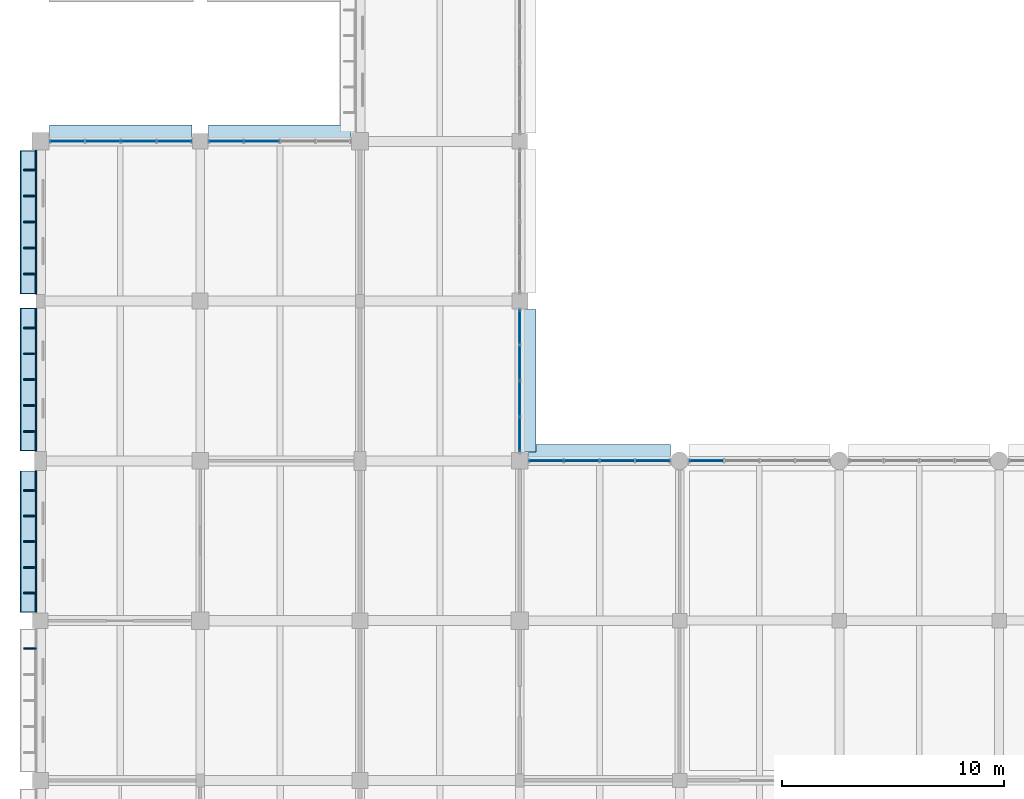
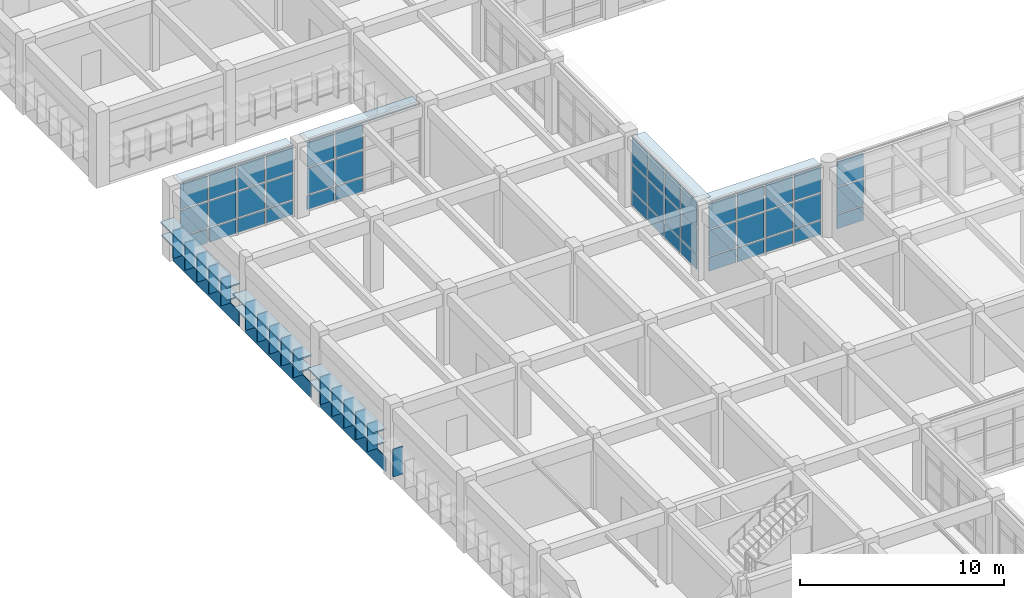
# One storey, part 129 of 171: 74 plates, 5 elements without a shape of their own.
"""IFC4 building model written with IfcOpenShell, lengths in metres."""

from ifc_helpers import new_model, si_unit, direction, frame, origin, origin_2d, place, context, subcontext, project, spatial, rectangle, extrude, material, layer, layer_set, type_object, element, aggregate, save


model = new_model("IFC4")

# Units and contexts
model_context = context("Model", 3, precision=1e-05, world=origin(), true_north=direction((0.0, 1.0)))
body_context = subcontext(model_context, "Body", "Model", "MODEL_VIEW")
ifc_project = project(units=[si_unit("LENGTHUNIT", "METRE"), si_unit("AREAUNIT", "SQUARE_METRE"), si_unit("VOLUMEUNIT", "CUBIC_METRE"), si_unit("PLANEANGLEUNIT", "RADIAN"), si_unit("MASSUNIT", "GRAM", prefix="KILO")], contexts=[model_context])

# Site, building, storey
site_placement = place(None, origin())
site = spatial("IfcSite", under=ifc_project, at=site_placement, CompositionType="ELEMENT")
building_placement = place(site_placement, origin())
building = spatial("IfcBuilding", under=site, at=building_placement, Name="Thalmaran Polytechnic", CompositionType="ELEMENT")
storey_placement = place(building_placement, frame((0.0, 0.0, 5.39990234375)))
storey = spatial("IfcBuildingStorey", under=building, at=storey_placement, Name="L01", CompositionType="ELEMENT", Elevation=5.39990234375)

# Plates
ifc_material_1 = material(Name="Anodised aluminium spandrel band", Category="aluminium")
ifc_layer_1 = layer(ifc_material_1, 0.054931640625, Name="Anodised aluminium spandrel band")
ifc_layer_set_1 = layer_set([ifc_layer_1], Name="Anodised aluminium spandrel band")
plate_type_1 = type_object("IfcPlateType", Name="PT-BD01", PredefinedType="SHEET", material=ifc_layer_set_1)
plate_1_placement = place(storey_placement, frame((-0.195068359375, 68.362548828125, 0.020263671875), z_axis=(0.0, 0.0, 1.0), x_axis=(0.0, 1.0, 0.0)))
element("IfcPlate", 1, at=plate_1_placement, inside=storey, type_object=plate_type_1, Name="Streamline Horizontal Spandrel Band L01-010", PredefinedType="SHEET", context=body_context, shape_type="SweptSolid", body=[
    extrude(rectangle(XDim=6.385009765625, YDim=0.054931640625, at=origin_2d()), origin(), (0.0, 0.0, 1.0), 0.8798828125),
])
plate_2_placement = place(storey_placement, frame((-0.195068359375, 75.66259765625, 0.020263671875), z_axis=(0.0, 0.0, 1.0), x_axis=(0.0, 1.0, 0.0)))
element("IfcPlate", 2, at=plate_2_placement, inside=storey, type_object=plate_type_1, Name="Streamline Horizontal Spandrel Band L01-011", PredefinedType="SHEET", context=body_context, shape_type="SweptSolid", body=[
    extrude(rectangle(XDim=6.43505859375, YDim=0.054931640625, at=origin_2d()), origin(), (0.0, 0.0, 1.0), 0.8798828125),
])
plate_3_placement = place(storey_placement, frame((-0.195068359375, 82.7548828125, 0.020263671875), z_axis=(0.0, 0.0, 1.0), x_axis=(0.0, 1.0, 0.0)))
element("IfcPlate", 3, at=plate_3_placement, inside=storey, type_object=plate_type_1, Name="Streamline Horizontal Spandrel Band L01-012", PredefinedType="SHEET", context=body_context, shape_type="SweptSolid", body=[
    extrude(rectangle(XDim=6.469970703125, YDim=0.054931640625, at=origin_2d()), origin(), (0.0, 0.0, 1.0), 0.8798828125),
])
ifc_material_2 = material(Name="Anodised aluminium sun-hood eyebrow", Category="aluminium")
ifc_layer_2 = layer(ifc_material_2, 0.0849609375, Name="Anodised aluminium sun-hood eyebrow")
ifc_layer_set_2 = layer_set([ifc_layer_2], Name="Anodised aluminium sun-hood eyebrow")
plate_type_2 = type_object("IfcPlateType", Name="PT-EB01", PredefinedType="SHEET", material=ifc_layer_set_2)
plate_4_placement = place(storey_placement, frame((-0.5400390625, 68.362548828125, 2.517578125), z_axis=(0.0, 0.0, 1.0), x_axis=(0.0, 1.0, 0.0)))
element("IfcPlate", 4, at=plate_4_placement, inside=storey, type_object=plate_type_2, Name="Streamline Sun-Hood Eyebrow L01-010", PredefinedType="SHEET", context=body_context, shape_type="SweptSolid", body=[
    extrude(rectangle(XDim=6.385009765625, YDim=0.760009765625, at=origin_2d()), origin(), (0.0, 0.0, 1.0), 0.0849609375),
])
plate_5_placement = place(storey_placement, frame((-0.52001953125, 68.362548828125, 1.74267578125), z_axis=(0.0, 0.0, 1.0), x_axis=(0.0, 1.0, 0.0)))
element("IfcPlate", 5, at=plate_5_placement, inside=storey, type_object=plate_type_2, Name="Abu Dhabi Horizontal Solar Louvre L01-010", PredefinedType="SHEET", context=body_context, shape_type="SweptSolid", body=[
    extrude(rectangle(XDim=6.344970703125, YDim=0.719970703125, at=origin_2d()), origin(), (0.0, 0.0, 1.0), 0.074951171875),
])
plate_6_placement = place(storey_placement, frame((-0.5400390625, 75.66259765625, 2.517578125), z_axis=(0.0, 0.0, 1.0), x_axis=(0.0, 1.0, 0.0)))
element("IfcPlate", 6, at=plate_6_placement, inside=storey, type_object=plate_type_2, Name="Streamline Sun-Hood Eyebrow L01-011", PredefinedType="SHEET", context=body_context, shape_type="SweptSolid", body=[
    extrude(rectangle(XDim=6.43505859375, YDim=0.760009765625, at=origin_2d()), origin(), (0.0, 0.0, 1.0), 0.0849609375),
])
plate_7_placement = place(storey_placement, frame((-0.52001953125, 75.66259765625, 1.74267578125), z_axis=(0.0, 0.0, 1.0), x_axis=(0.0, 1.0, 0.0)))
element("IfcPlate", 7, at=plate_7_placement, inside=storey, type_object=plate_type_2, Name="Abu Dhabi Horizontal Solar Louvre L01-011", PredefinedType="SHEET", context=body_context, shape_type="SweptSolid", body=[
    extrude(rectangle(XDim=6.39501953125, YDim=0.719970703125, at=origin_2d()), origin(), (0.0, 0.0, 1.0), 0.074951171875),
])
plate_8_placement = place(storey_placement, frame((-0.5400390625, 82.7548828125, 2.517578125), z_axis=(0.0, 0.0, 1.0), x_axis=(0.0, 1.0, 0.0)))
element("IfcPlate", 8, at=plate_8_placement, inside=storey, type_object=plate_type_2, Name="Streamline Sun-Hood Eyebrow L01-012", PredefinedType="SHEET", context=body_context, shape_type="SweptSolid", body=[
    extrude(rectangle(XDim=6.469970703125, YDim=0.760009765625, at=origin_2d()), origin(), (0.0, 0.0, 1.0), 0.0849609375),
])
plate_9_placement = place(storey_placement, frame((-0.52001953125, 82.7548828125, 1.74267578125), z_axis=(0.0, 0.0, 1.0), x_axis=(0.0, 1.0, 0.0)))
element("IfcPlate", 9, at=plate_9_placement, inside=storey, type_object=plate_type_2, Name="Abu Dhabi Horizontal Solar Louvre L01-012", PredefinedType="SHEET", context=body_context, shape_type="SweptSolid", body=[
    extrude(rectangle(XDim=6.429931640625, YDim=0.719970703125, at=origin_2d()), origin(), (0.0, 0.0, 1.0), 0.074951171875),
])
for number, where, z_axis, x_axis, name in (
    (10, (3.6201171875, 86.760009765625, 4.107666015625), (0.0, 0.0, 1.0), (1.0, 0.0, 0.0), "Streamline Sun-Hood Eyebrow L01-CW078"),
    (11, (10.780029296875, 86.760009765625, 4.107666015625), (0.0, 0.0, 1.0), (1.0, 0.0, 0.0), "Streamline Sun-Hood Eyebrow L01-CW079"),
):
    element("IfcPlate", number, at=place(storey_placement, frame(where, z_axis=z_axis, x_axis=x_axis)), inside=storey, type_object=plate_type_2, Name=name, PredefinedType="SHEET", context=body_context, shape_type="SweptSolid", body=[
        extrude(rectangle(XDim=6.419921875, YDim=0.760009765625, at=origin_2d()), origin(), (0.0, 0.0, 1.0), 0.0849609375),
    ])
plate_10_placement = place(storey_placement, frame((21.9599609375, 75.607421875, 4.107666015625), z_axis=(0.0, 0.0, 1.0), x_axis=(0.0, -1.0, 0.0)))
element("IfcPlate", 12, at=plate_10_placement, inside=storey, type_object=plate_type_2, Name="Streamline Sun-Hood Eyebrow L01-CW138", PredefinedType="SHEET", context=body_context, shape_type="SweptSolid", body=[
    extrude(rectangle(XDim=6.425048828125, YDim=0.760009765625, at=origin_2d()), origin(), (0.0, 0.0, 1.0), 0.0849609375),
])
plate_11_placement = place(storey_placement, frame((25.1875, 72.360107421875, 4.107666015625), z_axis=(0.0, 0.0, 1.0), x_axis=(1.0, 0.0, 0.0)))
element("IfcPlate", 13, at=plate_11_placement, inside=storey, type_object=plate_type_2, Name="Streamline Sun-Hood Eyebrow L01-CW139", PredefinedType="SHEET", context=body_context, shape_type="SweptSolid", body=[
    extrude(rectangle(XDim=6.385009765625, YDim=0.760009765625, at=origin_2d()), origin(), (0.0, 0.0, 1.0), 0.0849609375),
])
ifc_material_3 = material(Name="Anodised bronze brise-soleil fin")
ifc_layer_3 = layer(ifc_material_3, 0.06494140625, Name="Anodised bronze brise-soleil fin")
ifc_layer_set_3 = layer_set([ifc_layer_3], Name="Anodised bronze brise-soleil fin")
plate_type_3 = type_object("IfcPlateType", Name="PT-FN01", PredefinedType="SHEET", material=ifc_layer_set_3)
for number, where, z_axis, x_axis, name in (
    (14, (-0.4599609375, 63.54150390625, 0.895263671875), (0.0, 0.0, 1.0), (0.0, 1.0, 0.0), "Abu Dhabi Solar Brise-Soleil Fin L01-009-5"),
    (15, (-0.4599609375, 66.049560546875, 0.895263671875), (0.0, 0.0, 1.0), (0.0, 1.0, 0.0), "Abu Dhabi Solar Brise-Soleil Fin L01-010-1"),
    (16, (-0.4599609375, 67.2060546875, 0.895263671875), (0.0, 0.0, 1.0), (0.0, 1.0, 0.0), "Abu Dhabi Solar Brise-Soleil Fin L01-010-2"),
    (17, (-0.4599609375, 68.362548828125, 0.895263671875), (0.0, 0.0, 1.0), (0.0, 1.0, 0.0), "Abu Dhabi Solar Brise-Soleil Fin L01-010-3"),
    (18, (-0.4599609375, 69.51904296875, 0.895263671875), (0.0, 0.0, 1.0), (0.0, 1.0, 0.0), "Abu Dhabi Solar Brise-Soleil Fin L01-010-4"),
    (19, (-0.4599609375, 70.675537109375, 0.895263671875), (0.0, 0.0, 1.0), (0.0, 1.0, 0.0), "Abu Dhabi Solar Brise-Soleil Fin L01-010-5"),
    (20, (-0.4599609375, 73.33154296875, 0.895263671875), (0.0, 0.0, 1.0), (0.0, 1.0, 0.0), "Abu Dhabi Solar Brise-Soleil Fin L01-011-1"),
    (21, (-0.4599609375, 74.4970703125, 0.895263671875), (0.0, 0.0, 1.0), (0.0, 1.0, 0.0), "Abu Dhabi Solar Brise-Soleil Fin L01-011-2"),
    (22, (-0.4599609375, 75.66259765625, 0.895263671875), (0.0, 0.0, 1.0), (0.0, 1.0, 0.0), "Abu Dhabi Solar Brise-Soleil Fin L01-011-3"),
    (23, (-0.4599609375, 76.827880859375, 0.895263671875), (0.0, 0.0, 1.0), (0.0, 1.0, 0.0), "Abu Dhabi Solar Brise-Soleil Fin L01-011-4"),
    (24, (-0.4599609375, 77.993408203125, 0.895263671875), (0.0, 0.0, 1.0), (0.0, 1.0, 0.0), "Abu Dhabi Solar Brise-Soleil Fin L01-011-5"),
    (25, (-0.4599609375, 80.411376953125, 0.895263671875), (0.0, 0.0, 1.0), (0.0, 1.0, 0.0), "Abu Dhabi Solar Brise-Soleil Fin L01-012-1"),
    (26, (-0.4599609375, 81.583251953125, 0.895263671875), (0.0, 0.0, 1.0), (0.0, 1.0, 0.0), "Abu Dhabi Solar Brise-Soleil Fin L01-012-2"),
    (27, (-0.4599609375, 82.7548828125, 0.895263671875), (0.0, 0.0, 1.0), (0.0, 1.0, 0.0), "Abu Dhabi Solar Brise-Soleil Fin L01-012-3"),
    (28, (-0.4599609375, 83.9267578125, 0.895263671875), (0.0, 0.0, 1.0), (0.0, 1.0, 0.0), "Abu Dhabi Solar Brise-Soleil Fin L01-012-4"),
    (29, (-0.4599609375, 85.0986328125, 0.895263671875), (0.0, 0.0, 1.0), (0.0, 1.0, 0.0), "Abu Dhabi Solar Brise-Soleil Fin L01-012-5"),
):
    element("IfcPlate", number, at=place(storey_placement, frame(where, z_axis=z_axis, x_axis=x_axis)), inside=storey, type_object=plate_type_3, Name=name, PredefinedType="SHEET", context=body_context, shape_type="SweptSolid", body=[
        extrude(rectangle(XDim=0.06494140625, YDim=0.56005859375, at=origin_2d()), origin(), (0.0, 0.0, 1.0), 1.64990234375),
    ])

# Curtain wall, plates
ifc_material_4 = material(Name="Aluminium 6063-T6", Category="aluminium")
curtain_wall_type_1 = type_object("IfcCurtainWallType", Name="CW-SC01", PredefinedType="USERDEFINED", material=ifc_material_4)
curtain_wall_1_placement = place(storey_placement, origin())
curtain_wall_1 = element("IfcCurtainWall", 30, at=curtain_wall_1_placement, inside=storey, type_object=curtain_wall_type_1, Name="Curtain Wall CW-L01-140", ObjectType="STICK CURTAIN WALL", PredefinedType="USERDEFINED")
ifc_material_5 = material(Name="Solar-control double low-E glass", Category="glass")
ifc_layer_4 = layer(ifc_material_5, 0.035888671875, Name="Solar-control double low-E glass")
ifc_layer_set_4 = layer_set([ifc_layer_4], Name="Solar-control double low-E glass")
plate_type_4 = type_object("IfcPlateType", Name="PT-GL01", PredefinedType="CURTAIN_PANEL", material=ifc_layer_set_4)
plate_12_placement = place(storey_placement, frame((30.0, 72.0, 1.000244140625), z_axis=(0.0, 0.0, 1.0), x_axis=(1.0, 0.0, 0.0)))
plate_12 = element("IfcPlate", 31, at=plate_12_placement, type_object=plate_type_4, Name="CW-L01-140 Vision Panel 1-2", PredefinedType="CURTAIN_PANEL", context=body_context, shape_type="SweptSolid", body=[
    extrude(rectangle(XDim=1.5, YDim=0.035888671875, at=origin_2d()), origin(), (0.0, 0.0, 1.0), 1.544921875),
])
plate_13_placement = place(storey_placement, frame((30.0, 72.0, 2.625), z_axis=(0.0, 0.0, 1.0), x_axis=(1.0, 0.0, 0.0)))
plate_13 = element("IfcPlate", 32, at=plate_13_placement, type_object=plate_type_4, Name="CW-L01-140 Vision Panel 1-3", PredefinedType="CURTAIN_PANEL", context=body_context, shape_type="SweptSolid", body=[
    extrude(rectangle(XDim=1.5, YDim=0.035888671875, at=origin_2d()), origin(), (0.0, 0.0, 1.0), 1.485107421875),
])

curtain_wall_type_2 = type_object("IfcCurtainWallType", Name="CW-UC02", PredefinedType="USERDEFINED", material=ifc_material_4)
curtain_wall_2_placement = place(storey_placement, origin())
curtain_wall_2 = element("IfcCurtainWall", 33, at=curtain_wall_2_placement, inside=storey, type_object=curtain_wall_type_2, Name="Curtain Wall CW-L01-078", ObjectType="UNITISED CURTAIN WALL", PredefinedType="USERDEFINED")
ifc_layer_5 = layer(ifc_material_5, 0.035888671875, Name="Solar-control double low-E glass")
ifc_layer_set_5 = layer_set([ifc_layer_5], Name="Solar-control double low-E glass")
plate_type_5 = type_object("IfcPlateType", Name="PT-GL04", PredefinedType="CURTAIN_PANEL", material=ifc_layer_set_5)
plate_14_placement = place(storey_placement, frame((1.197509765625, 86.39990234375, 1.000244140625), z_axis=(0.0, 0.0, 1.0), x_axis=(1.0, 0.0, 0.0)))
plate_14 = element("IfcPlate", 34, at=plate_14_placement, type_object=plate_type_5, Name="CW-L01-078 Vision Panel 1-2", PredefinedType="CURTAIN_PANEL", context=body_context, shape_type="SweptSolid", body=[
    extrude(rectangle(XDim=1.514892578125, YDim=0.035888671875, at=origin_2d()), origin(), (0.0, 0.0, 1.0), 1.544921875),
])
plate_15_placement = place(storey_placement, frame((1.197509765625, 86.39990234375, 2.625), z_axis=(0.0, 0.0, 1.0), x_axis=(1.0, 0.0, 0.0)))
plate_15 = element("IfcPlate", 35, at=plate_15_placement, type_object=plate_type_5, Name="CW-L01-078 Vision Panel 1-3", PredefinedType="CURTAIN_PANEL", context=body_context, shape_type="SweptSolid", body=[
    extrude(rectangle(XDim=1.514892578125, YDim=0.035888671875, at=origin_2d()), origin(), (0.0, 0.0, 1.0), 1.485107421875),
])
plate_16_placement = place(storey_placement, frame((2.8125, 86.39990234375, 1.000244140625), z_axis=(0.0, 0.0, 1.0), x_axis=(1.0, 0.0, 0.0)))
plate_16 = element("IfcPlate", 36, at=plate_16_placement, type_object=plate_type_5, Name="CW-L01-078 Vision Panel 2-2", PredefinedType="CURTAIN_PANEL", context=body_context, shape_type="SweptSolid", body=[
    extrude(rectangle(XDim=1.514892578125, YDim=0.035888671875, at=origin_2d()), origin(), (0.0, 0.0, 1.0), 1.544921875),
])
plate_17_placement = place(storey_placement, frame((2.8125, 86.39990234375, 2.625), z_axis=(0.0, 0.0, 1.0), x_axis=(1.0, 0.0, 0.0)))
plate_17 = element("IfcPlate", 37, at=plate_17_placement, type_object=plate_type_5, Name="CW-L01-078 Vision Panel 2-3", PredefinedType="CURTAIN_PANEL", context=body_context, shape_type="SweptSolid", body=[
    extrude(rectangle(XDim=1.514892578125, YDim=0.035888671875, at=origin_2d()), origin(), (0.0, 0.0, 1.0), 1.485107421875),
])
plate_18_placement = place(storey_placement, frame((4.427490234375, 86.39990234375, 1.000244140625), z_axis=(0.0, 0.0, 1.0), x_axis=(1.0, 0.0, 0.0)))
plate_18 = element("IfcPlate", 38, at=plate_18_placement, type_object=plate_type_5, Name="CW-L01-078 Vision Panel 3-2", PredefinedType="CURTAIN_PANEL", context=body_context, shape_type="SweptSolid", body=[
    extrude(rectangle(XDim=1.514892578125, YDim=0.035888671875, at=origin_2d()), origin(), (0.0, 0.0, 1.0), 1.544921875),
])
plate_19_placement = place(storey_placement, frame((4.427490234375, 86.39990234375, 2.625), z_axis=(0.0, 0.0, 1.0), x_axis=(1.0, 0.0, 0.0)))
plate_19 = element("IfcPlate", 39, at=plate_19_placement, type_object=plate_type_5, Name="CW-L01-078 Vision Panel 3-3", PredefinedType="CURTAIN_PANEL", context=body_context, shape_type="SweptSolid", body=[
    extrude(rectangle(XDim=1.514892578125, YDim=0.035888671875, at=origin_2d()), origin(), (0.0, 0.0, 1.0), 1.485107421875),
])
plate_20_placement = place(storey_placement, frame((6.04248046875, 86.39990234375, 1.000244140625), z_axis=(0.0, 0.0, 1.0), x_axis=(1.0, 0.0, 0.0)))
plate_20 = element("IfcPlate", 40, at=plate_20_placement, type_object=plate_type_5, Name="CW-L01-078 Vision Panel 4-2", PredefinedType="CURTAIN_PANEL", context=body_context, shape_type="SweptSolid", body=[
    extrude(rectangle(XDim=1.514892578125, YDim=0.035888671875, at=origin_2d()), origin(), (0.0, 0.0, 1.0), 1.544921875),
])
plate_21_placement = place(storey_placement, frame((6.04248046875, 86.39990234375, 2.625), z_axis=(0.0, 0.0, 1.0), x_axis=(1.0, 0.0, 0.0)))
plate_21 = element("IfcPlate", 41, at=plate_21_placement, type_object=plate_type_5, Name="CW-L01-078 Vision Panel 4-3", PredefinedType="CURTAIN_PANEL", context=body_context, shape_type="SweptSolid", body=[
    extrude(rectangle(XDim=1.514892578125, YDim=0.035888671875, at=origin_2d()), origin(), (0.0, 0.0, 1.0), 1.485107421875),
])

curtain_wall_3_placement = place(storey_placement, origin())
curtain_wall_3 = element("IfcCurtainWall", 42, at=curtain_wall_3_placement, inside=storey, type_object=curtain_wall_type_2, Name="Curtain Wall CW-L01-138", ObjectType="UNITISED CURTAIN WALL", PredefinedType="USERDEFINED")
plate_22_placement = place(storey_placement, frame((21.60009765625, 78.031982421875, 1.000244140625), z_axis=(0.0, 0.0, 1.0), x_axis=(0.0, -1.0, 0.0)))
plate_22 = element("IfcPlate", 43, at=plate_22_placement, type_object=plate_type_5, Name="CW-L01-138 Vision Panel 1-2", PredefinedType="CURTAIN_PANEL", context=body_context, shape_type="SweptSolid", body=[
    extrude(rectangle(XDim=1.516357421875, YDim=0.035888671875, at=origin_2d()), origin(), (0.0, 0.0, 1.0), 1.544921875),
])
plate_23_placement = place(storey_placement, frame((21.60009765625, 78.031982421875, 2.625), z_axis=(0.0, 0.0, 1.0), x_axis=(0.0, -1.0, 0.0)))
plate_23 = element("IfcPlate", 44, at=plate_23_placement, type_object=plate_type_5, Name="CW-L01-138 Vision Panel 1-3", PredefinedType="CURTAIN_PANEL", context=body_context, shape_type="SweptSolid", body=[
    extrude(rectangle(XDim=1.516357421875, YDim=0.035888671875, at=origin_2d()), origin(), (0.0, 0.0, 1.0), 1.485107421875),
])
plate_24_placement = place(storey_placement, frame((21.60009765625, 76.41552734375, 1.000244140625), z_axis=(0.0, 0.0, 1.0), x_axis=(0.0, -1.0, 0.0)))
plate_24 = element("IfcPlate", 45, at=plate_24_placement, type_object=plate_type_5, Name="CW-L01-138 Vision Panel 2-2", PredefinedType="CURTAIN_PANEL", context=body_context, shape_type="SweptSolid", body=[
    extrude(rectangle(XDim=1.516357421875, YDim=0.035888671875, at=origin_2d()), origin(), (0.0, 0.0, 1.0), 1.544921875),
])
plate_25_placement = place(storey_placement, frame((21.60009765625, 76.41552734375, 2.625), z_axis=(0.0, 0.0, 1.0), x_axis=(0.0, -1.0, 0.0)))
plate_25 = element("IfcPlate", 46, at=plate_25_placement, type_object=plate_type_5, Name="CW-L01-138 Vision Panel 2-3", PredefinedType="CURTAIN_PANEL", context=body_context, shape_type="SweptSolid", body=[
    extrude(rectangle(XDim=1.516357421875, YDim=0.035888671875, at=origin_2d()), origin(), (0.0, 0.0, 1.0), 1.485107421875),
])
plate_26_placement = place(storey_placement, frame((21.60009765625, 74.79931640625, 1.000244140625), z_axis=(0.0, 0.0, 1.0), x_axis=(0.0, -1.0, 0.0)))
plate_26 = element("IfcPlate", 47, at=plate_26_placement, type_object=plate_type_5, Name="CW-L01-138 Vision Panel 3-2", PredefinedType="CURTAIN_PANEL", context=body_context, shape_type="SweptSolid", body=[
    extrude(rectangle(XDim=1.516357421875, YDim=0.035888671875, at=origin_2d()), origin(), (0.0, 0.0, 1.0), 1.544921875),
])
plate_27_placement = place(storey_placement, frame((21.60009765625, 74.79931640625, 2.625), z_axis=(0.0, 0.0, 1.0), x_axis=(0.0, -1.0, 0.0)))
plate_27 = element("IfcPlate", 48, at=plate_27_placement, type_object=plate_type_5, Name="CW-L01-138 Vision Panel 3-3", PredefinedType="CURTAIN_PANEL", context=body_context, shape_type="SweptSolid", body=[
    extrude(rectangle(XDim=1.516357421875, YDim=0.035888671875, at=origin_2d()), origin(), (0.0, 0.0, 1.0), 1.485107421875),
])
plate_28_placement = place(storey_placement, frame((21.60009765625, 73.18310546875, 1.000244140625), z_axis=(0.0, 0.0, 1.0), x_axis=(0.0, -1.0, 0.0)))
plate_28 = element("IfcPlate", 49, at=plate_28_placement, type_object=plate_type_5, Name="CW-L01-138 Vision Panel 4-2", PredefinedType="CURTAIN_PANEL", context=body_context, shape_type="SweptSolid", body=[
    extrude(rectangle(XDim=1.516357421875, YDim=0.035888671875, at=origin_2d()), origin(), (0.0, 0.0, 1.0), 1.544921875),
])
plate_29_placement = place(storey_placement, frame((21.60009765625, 73.18310546875, 2.625), z_axis=(0.0, 0.0, 1.0), x_axis=(0.0, -1.0, 0.0)))
plate_29 = element("IfcPlate", 50, at=plate_29_placement, type_object=plate_type_5, Name="CW-L01-138 Vision Panel 4-3", PredefinedType="CURTAIN_PANEL", context=body_context, shape_type="SweptSolid", body=[
    extrude(rectangle(XDim=1.516357421875, YDim=0.035888671875, at=origin_2d()), origin(), (0.0, 0.0, 1.0), 1.485107421875),
])

curtain_wall_4_placement = place(storey_placement, origin())
curtain_wall_4 = element("IfcCurtainWall", 51, at=curtain_wall_4_placement, inside=storey, type_object=curtain_wall_type_2, Name="Curtain Wall CW-L01-079", ObjectType="UNITISED CURTAIN WALL", PredefinedType="USERDEFINED")
ifc_layer_6 = layer(ifc_material_5, 0.035888671875, Name="Solar-control double low-E glass")
ifc_layer_set_6 = layer_set([ifc_layer_6], Name="Solar-control double low-E glass")
plate_type_6 = type_object("IfcPlateType", Name="PT-GL05", PredefinedType="CURTAIN_PANEL", material=ifc_layer_set_6)
plate_30_placement = place(storey_placement, frame((8.357421875, 86.39990234375, 1.000244140625), z_axis=(0.0, 0.0, 1.0), x_axis=(1.0, 0.0, 0.0)))
plate_30 = element("IfcPlate", 52, at=plate_30_placement, type_object=plate_type_6, Name="CW-L01-079 Vision Panel 1-2", PredefinedType="CURTAIN_PANEL", context=body_context, shape_type="SweptSolid", body=[
    extrude(rectangle(XDim=1.514892578125, YDim=0.035888671875, at=origin_2d()), origin(), (0.0, 0.0, 1.0), 1.544921875),
])
plate_31_placement = place(storey_placement, frame((8.357421875, 86.39990234375, 2.625), z_axis=(0.0, 0.0, 1.0), x_axis=(1.0, 0.0, 0.0)))
plate_31 = element("IfcPlate", 53, at=plate_31_placement, type_object=plate_type_6, Name="CW-L01-079 Vision Panel 1-3", PredefinedType="CURTAIN_PANEL", context=body_context, shape_type="SweptSolid", body=[
    extrude(rectangle(XDim=1.514892578125, YDim=0.035888671875, at=origin_2d()), origin(), (0.0, 0.0, 1.0), 1.485107421875),
])
plate_32_placement = place(storey_placement, frame((9.972412109375, 86.39990234375, 1.000244140625), z_axis=(0.0, 0.0, 1.0), x_axis=(1.0, 0.0, 0.0)))
plate_32 = element("IfcPlate", 54, at=plate_32_placement, type_object=plate_type_6, Name="CW-L01-079 Vision Panel 2-2", PredefinedType="CURTAIN_PANEL", context=body_context, shape_type="SweptSolid", body=[
    extrude(rectangle(XDim=1.514892578125, YDim=0.035888671875, at=origin_2d()), origin(), (0.0, 0.0, 1.0), 1.544921875),
])
plate_33_placement = place(storey_placement, frame((9.972412109375, 86.39990234375, 2.625), z_axis=(0.0, 0.0, 1.0), x_axis=(1.0, 0.0, 0.0)))
plate_33 = element("IfcPlate", 55, at=plate_33_placement, type_object=plate_type_6, Name="CW-L01-079 Vision Panel 2-3", PredefinedType="CURTAIN_PANEL", context=body_context, shape_type="SweptSolid", body=[
    extrude(rectangle(XDim=1.514892578125, YDim=0.035888671875, at=origin_2d()), origin(), (0.0, 0.0, 1.0), 1.485107421875),
])

curtain_wall_5_placement = place(storey_placement, origin())
curtain_wall_5 = element("IfcCurtainWall", 56, at=curtain_wall_5_placement, inside=storey, type_object=curtain_wall_type_2, Name="Curtain Wall CW-L01-139", ObjectType="UNITISED CURTAIN WALL", PredefinedType="USERDEFINED")
plate_34_placement = place(storey_placement, frame((22.778076171875, 72.0, 1.000244140625), z_axis=(0.0, 0.0, 1.0), x_axis=(1.0, 0.0, 0.0)))
plate_34 = element("IfcPlate", 57, at=plate_34_placement, type_object=plate_type_6, Name="CW-L01-139 Vision Panel 1-2", PredefinedType="CURTAIN_PANEL", context=body_context, shape_type="SweptSolid", body=[
    extrude(rectangle(XDim=1.506103515625, YDim=0.035888671875, at=origin_2d()), origin(), (0.0, 0.0, 1.0), 1.544921875),
])
plate_35_placement = place(storey_placement, frame((22.778076171875, 72.0, 2.625), z_axis=(0.0, 0.0, 1.0), x_axis=(1.0, 0.0, 0.0)))
plate_35 = element("IfcPlate", 58, at=plate_35_placement, type_object=plate_type_6, Name="CW-L01-139 Vision Panel 1-3", PredefinedType="CURTAIN_PANEL", context=body_context, shape_type="SweptSolid", body=[
    extrude(rectangle(XDim=1.506103515625, YDim=0.035888671875, at=origin_2d()), origin(), (0.0, 0.0, 1.0), 1.485107421875),
])
plate_36_placement = place(storey_placement, frame((24.38427734375, 72.0, 1.000244140625), z_axis=(0.0, 0.0, 1.0), x_axis=(1.0, 0.0, 0.0)))
plate_36 = element("IfcPlate", 59, at=plate_36_placement, type_object=plate_type_6, Name="CW-L01-139 Vision Panel 2-2", PredefinedType="CURTAIN_PANEL", context=body_context, shape_type="SweptSolid", body=[
    extrude(rectangle(XDim=1.506103515625, YDim=0.035888671875, at=origin_2d()), origin(), (0.0, 0.0, 1.0), 1.544921875),
])
plate_37_placement = place(storey_placement, frame((24.38427734375, 72.0, 2.625), z_axis=(0.0, 0.0, 1.0), x_axis=(1.0, 0.0, 0.0)))
plate_37 = element("IfcPlate", 60, at=plate_37_placement, type_object=plate_type_6, Name="CW-L01-139 Vision Panel 2-3", PredefinedType="CURTAIN_PANEL", context=body_context, shape_type="SweptSolid", body=[
    extrude(rectangle(XDim=1.506103515625, YDim=0.035888671875, at=origin_2d()), origin(), (0.0, 0.0, 1.0), 1.485107421875),
])
plate_38_placement = place(storey_placement, frame((25.99072265625, 72.0, 1.000244140625), z_axis=(0.0, 0.0, 1.0), x_axis=(1.0, 0.0, 0.0)))
plate_38 = element("IfcPlate", 61, at=plate_38_placement, type_object=plate_type_6, Name="CW-L01-139 Vision Panel 3-2", PredefinedType="CURTAIN_PANEL", context=body_context, shape_type="SweptSolid", body=[
    extrude(rectangle(XDim=1.506103515625, YDim=0.035888671875, at=origin_2d()), origin(), (0.0, 0.0, 1.0), 1.544921875),
])
plate_39_placement = place(storey_placement, frame((25.99072265625, 72.0, 2.625), z_axis=(0.0, 0.0, 1.0), x_axis=(1.0, 0.0, 0.0)))
plate_39 = element("IfcPlate", 62, at=plate_39_placement, type_object=plate_type_6, Name="CW-L01-139 Vision Panel 3-3", PredefinedType="CURTAIN_PANEL", context=body_context, shape_type="SweptSolid", body=[
    extrude(rectangle(XDim=1.506103515625, YDim=0.035888671875, at=origin_2d()), origin(), (0.0, 0.0, 1.0), 1.485107421875),
])
plate_40_placement = place(storey_placement, frame((27.596923828125, 72.0, 1.000244140625), z_axis=(0.0, 0.0, 1.0), x_axis=(1.0, 0.0, 0.0)))
plate_40 = element("IfcPlate", 63, at=plate_40_placement, type_object=plate_type_6, Name="CW-L01-139 Vision Panel 4-2", PredefinedType="CURTAIN_PANEL", context=body_context, shape_type="SweptSolid", body=[
    extrude(rectangle(XDim=1.506103515625, YDim=0.035888671875, at=origin_2d()), origin(), (0.0, 0.0, 1.0), 1.544921875),
])
plate_41_placement = place(storey_placement, frame((27.596923828125, 72.0, 2.625), z_axis=(0.0, 0.0, 1.0), x_axis=(1.0, 0.0, 0.0)))
plate_41 = element("IfcPlate", 64, at=plate_41_placement, type_object=plate_type_6, Name="CW-L01-139 Vision Panel 4-3", PredefinedType="CURTAIN_PANEL", context=body_context, shape_type="SweptSolid", body=[
    extrude(rectangle(XDim=1.506103515625, YDim=0.035888671875, at=origin_2d()), origin(), (0.0, 0.0, 1.0), 1.485107421875),
])

# Plate
ifc_material_6 = material(Name="Insulated anodised aluminium spandrel", Category="aluminium")
ifc_layer_7 = layer(ifc_material_6, 0.06005859375, Name="Insulated anodised aluminium spandrel")
ifc_layer_set_7 = layer_set([ifc_layer_7], Name="Insulated anodised aluminium spandrel")
plate_type_7 = type_object("IfcPlateType", Name="PT-SP01", PredefinedType="CURTAIN_PANEL", material=ifc_layer_set_7)
plate_42_placement = place(storey_placement, frame((1.197509765625, 86.39990234375, 0.10009765625), z_axis=(0.0, 0.0, 1.0), x_axis=(1.0, 0.0, 0.0)))
plate_42 = element("IfcPlate", 65, at=plate_42_placement, type_object=plate_type_7, Name="CW-L01-078 Spandrel Panel 1-1", PredefinedType="CURTAIN_PANEL", context=body_context, shape_type="SweptSolid", body=[
    extrude(rectangle(XDim=1.514892578125, YDim=0.06005859375, at=origin_2d()), origin(), (0.0, 0.0, 1.0), 0.820068359375),
])

plate_43_placement = place(storey_placement, frame((2.8125, 86.39990234375, 0.10009765625), z_axis=(0.0, 0.0, 1.0), x_axis=(1.0, 0.0, 0.0)))
plate_43 = element("IfcPlate", 66, at=plate_43_placement, type_object=plate_type_7, Name="CW-L01-078 Spandrel Panel 2-1", PredefinedType="CURTAIN_PANEL", context=body_context, shape_type="SweptSolid", body=[
    extrude(rectangle(XDim=1.514892578125, YDim=0.06005859375, at=origin_2d()), origin(), (0.0, 0.0, 1.0), 0.820068359375),
])

plate_44_placement = place(storey_placement, frame((4.427490234375, 86.39990234375, 0.10009765625), z_axis=(0.0, 0.0, 1.0), x_axis=(1.0, 0.0, 0.0)))
plate_44 = element("IfcPlate", 67, at=plate_44_placement, type_object=plate_type_7, Name="CW-L01-078 Spandrel Panel 3-1", PredefinedType="CURTAIN_PANEL", context=body_context, shape_type="SweptSolid", body=[
    extrude(rectangle(XDim=1.514892578125, YDim=0.06005859375, at=origin_2d()), origin(), (0.0, 0.0, 1.0), 0.820068359375),
])

plate_45_placement = place(storey_placement, frame((6.04248046875, 86.39990234375, 0.10009765625), z_axis=(0.0, 0.0, 1.0), x_axis=(1.0, 0.0, 0.0)))
plate_45 = element("IfcPlate", 68, at=plate_45_placement, type_object=plate_type_7, Name="CW-L01-078 Spandrel Panel 4-1", PredefinedType="CURTAIN_PANEL", context=body_context, shape_type="SweptSolid", body=[
    extrude(rectangle(XDim=1.514892578125, YDim=0.06005859375, at=origin_2d()), origin(), (0.0, 0.0, 1.0), 0.820068359375),
])

aggregate(curtain_wall_2, [plate_42, plate_14, plate_15, plate_43, plate_16, plate_17, plate_44, plate_18, plate_19, plate_45, plate_20, plate_21])

plate_46_placement = place(storey_placement, frame((21.60009765625, 78.031982421875, 0.10009765625), z_axis=(0.0, 0.0, 1.0), x_axis=(0.0, -1.0, 0.0)))
plate_46 = element("IfcPlate", 69, at=plate_46_placement, type_object=plate_type_7, Name="CW-L01-138 Spandrel Panel 1-1", PredefinedType="CURTAIN_PANEL", context=body_context, shape_type="SweptSolid", body=[
    extrude(rectangle(XDim=1.516357421875, YDim=0.06005859375, at=origin_2d()), origin(), (0.0, 0.0, 1.0), 0.820068359375),
])

plate_47_placement = place(storey_placement, frame((21.60009765625, 76.41552734375, 0.10009765625), z_axis=(0.0, 0.0, 1.0), x_axis=(0.0, -1.0, 0.0)))
plate_47 = element("IfcPlate", 70, at=plate_47_placement, type_object=plate_type_7, Name="CW-L01-138 Spandrel Panel 2-1", PredefinedType="CURTAIN_PANEL", context=body_context, shape_type="SweptSolid", body=[
    extrude(rectangle(XDim=1.516357421875, YDim=0.06005859375, at=origin_2d()), origin(), (0.0, 0.0, 1.0), 0.820068359375),
])

plate_48_placement = place(storey_placement, frame((21.60009765625, 74.79931640625, 0.10009765625), z_axis=(0.0, 0.0, 1.0), x_axis=(0.0, -1.0, 0.0)))
plate_48 = element("IfcPlate", 71, at=plate_48_placement, type_object=plate_type_7, Name="CW-L01-138 Spandrel Panel 3-1", PredefinedType="CURTAIN_PANEL", context=body_context, shape_type="SweptSolid", body=[
    extrude(rectangle(XDim=1.516357421875, YDim=0.06005859375, at=origin_2d()), origin(), (0.0, 0.0, 1.0), 0.820068359375),
])

plate_49_placement = place(storey_placement, frame((21.60009765625, 73.18310546875, 0.10009765625), z_axis=(0.0, 0.0, 1.0), x_axis=(0.0, -1.0, 0.0)))
plate_49 = element("IfcPlate", 72, at=plate_49_placement, type_object=plate_type_7, Name="CW-L01-138 Spandrel Panel 4-1", PredefinedType="CURTAIN_PANEL", context=body_context, shape_type="SweptSolid", body=[
    extrude(rectangle(XDim=1.516357421875, YDim=0.06005859375, at=origin_2d()), origin(), (0.0, 0.0, 1.0), 0.820068359375),
])

aggregate(curtain_wall_3, [plate_46, plate_22, plate_23, plate_47, plate_24, plate_25, plate_48, plate_26, plate_27, plate_49, plate_28, plate_29])

ifc_layer_8 = layer(ifc_material_6, 0.06005859375, Name="Insulated anodised aluminium spandrel")
ifc_layer_set_8 = layer_set([ifc_layer_8], Name="Insulated anodised aluminium spandrel")
plate_type_8 = type_object("IfcPlateType", Name="PT-SP02", PredefinedType="CURTAIN_PANEL", material=ifc_layer_set_8)
plate_50_placement = place(storey_placement, frame((8.357421875, 86.39990234375, 0.10009765625), z_axis=(0.0, 0.0, 1.0), x_axis=(1.0, 0.0, 0.0)))
plate_50 = element("IfcPlate", 73, at=plate_50_placement, type_object=plate_type_8, Name="CW-L01-079 Spandrel Panel 1-1", PredefinedType="CURTAIN_PANEL", context=body_context, shape_type="SweptSolid", body=[
    extrude(rectangle(XDim=1.514892578125, YDim=0.06005859375, at=origin_2d()), origin(), (0.0, 0.0, 1.0), 0.820068359375),
])

plate_51_placement = place(storey_placement, frame((9.972412109375, 86.39990234375, 0.10009765625), z_axis=(0.0, 0.0, 1.0), x_axis=(1.0, 0.0, 0.0)))
plate_51 = element("IfcPlate", 74, at=plate_51_placement, type_object=plate_type_8, Name="CW-L01-079 Spandrel Panel 2-1", PredefinedType="CURTAIN_PANEL", context=body_context, shape_type="SweptSolid", body=[
    extrude(rectangle(XDim=1.514892578125, YDim=0.06005859375, at=origin_2d()), origin(), (0.0, 0.0, 1.0), 0.820068359375),
])

aggregate(curtain_wall_4, [plate_50, plate_30, plate_31, plate_51, plate_32, plate_33])

plate_52_placement = place(storey_placement, frame((22.778076171875, 72.0, 0.10009765625), z_axis=(0.0, 0.0, 1.0), x_axis=(1.0, 0.0, 0.0)))
plate_52 = element("IfcPlate", 75, at=plate_52_placement, type_object=plate_type_8, Name="CW-L01-139 Spandrel Panel 1-1", PredefinedType="CURTAIN_PANEL", context=body_context, shape_type="SweptSolid", body=[
    extrude(rectangle(XDim=1.506103515625, YDim=0.06005859375, at=origin_2d()), origin(), (0.0, 0.0, 1.0), 0.820068359375),
])

plate_53_placement = place(storey_placement, frame((24.38427734375, 72.0, 0.10009765625), z_axis=(0.0, 0.0, 1.0), x_axis=(1.0, 0.0, 0.0)))
plate_53 = element("IfcPlate", 76, at=plate_53_placement, type_object=plate_type_8, Name="CW-L01-139 Spandrel Panel 2-1", PredefinedType="CURTAIN_PANEL", context=body_context, shape_type="SweptSolid", body=[
    extrude(rectangle(XDim=1.506103515625, YDim=0.06005859375, at=origin_2d()), origin(), (0.0, 0.0, 1.0), 0.820068359375),
])

plate_54_placement = place(storey_placement, frame((25.99072265625, 72.0, 0.10009765625), z_axis=(0.0, 0.0, 1.0), x_axis=(1.0, 0.0, 0.0)))
plate_54 = element("IfcPlate", 77, at=plate_54_placement, type_object=plate_type_8, Name="CW-L01-139 Spandrel Panel 3-1", PredefinedType="CURTAIN_PANEL", context=body_context, shape_type="SweptSolid", body=[
    extrude(rectangle(XDim=1.506103515625, YDim=0.06005859375, at=origin_2d()), origin(), (0.0, 0.0, 1.0), 0.820068359375),
])

plate_55_placement = place(storey_placement, frame((27.596923828125, 72.0, 0.10009765625), z_axis=(0.0, 0.0, 1.0), x_axis=(1.0, 0.0, 0.0)))
plate_55 = element("IfcPlate", 78, at=plate_55_placement, type_object=plate_type_8, Name="CW-L01-139 Spandrel Panel 4-1", PredefinedType="CURTAIN_PANEL", context=body_context, shape_type="SweptSolid", body=[
    extrude(rectangle(XDim=1.506103515625, YDim=0.06005859375, at=origin_2d()), origin(), (0.0, 0.0, 1.0), 0.820068359375),
])

aggregate(curtain_wall_5, [plate_52, plate_34, plate_35, plate_53, plate_36, plate_37, plate_54, plate_38, plate_39, plate_55, plate_40, plate_41])

ifc_layer_9 = layer(ifc_material_6, 0.06005859375, Name="Insulated anodised aluminium spandrel")
ifc_layer_set_9 = layer_set([ifc_layer_9], Name="Insulated anodised aluminium spandrel")
plate_type_9 = type_object("IfcPlateType", Name="PT-SP03", PredefinedType="CURTAIN_PANEL", material=ifc_layer_set_9)
plate_56_placement = place(storey_placement, frame((30.0, 72.0, 0.10009765625), z_axis=(0.0, 0.0, 1.0), x_axis=(1.0, 0.0, 0.0)))
plate_56 = element("IfcPlate", 79, at=plate_56_placement, type_object=plate_type_9, Name="CW-L01-140 Spandrel Panel 1-1", PredefinedType="CURTAIN_PANEL", context=body_context, shape_type="SweptSolid", body=[
    extrude(rectangle(XDim=1.5, YDim=0.06005859375, at=origin_2d()), origin(), (0.0, 0.0, 1.0), 0.820068359375),
])

aggregate(curtain_wall_1, [plate_56, plate_12, plate_13])

save(model, "model.ifc")
